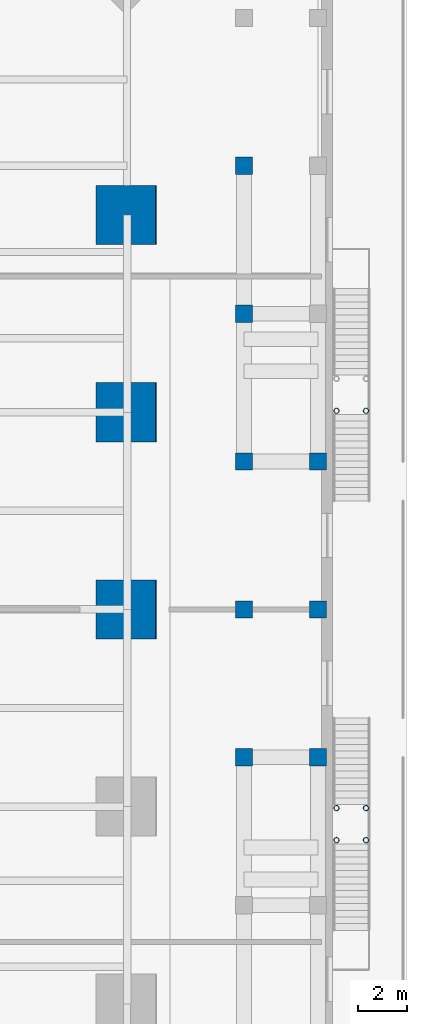
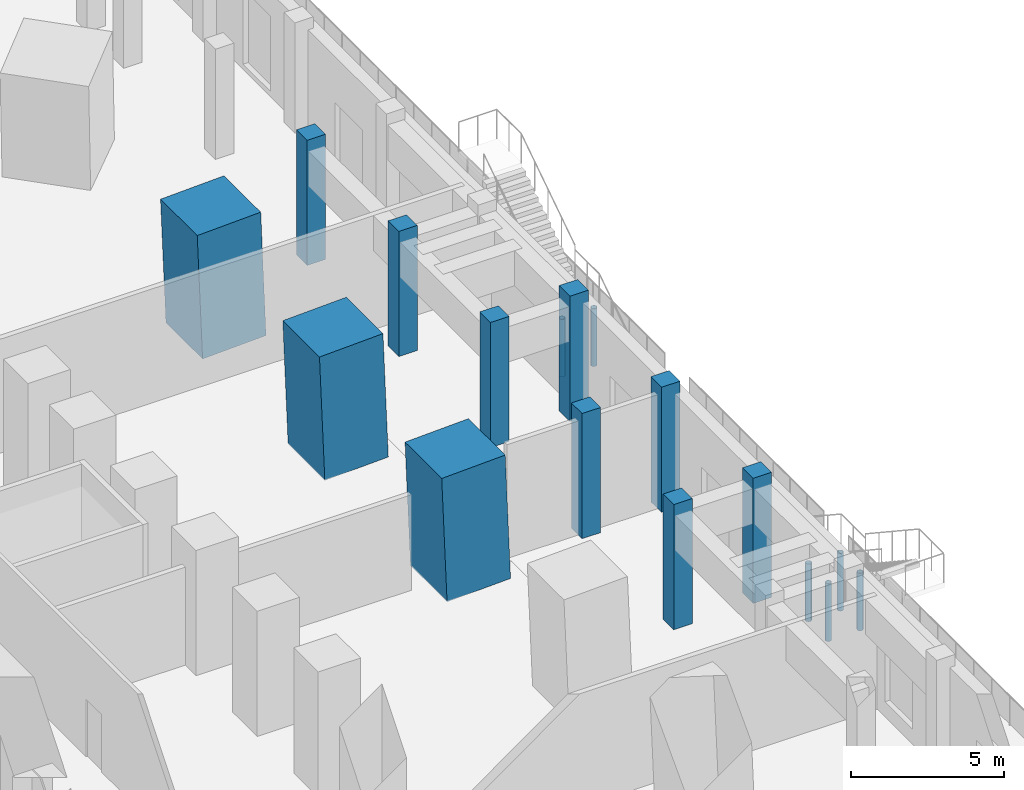
# One storey, part 6 of 22: 17 columns.
"""IFC4 building model written with IfcOpenShell, lengths in metres."""

from ifc_helpers import new_model, si_unit, direction, frame, origin, origin_2d, place, context, subcontext, project, spatial, rectangle, hollow_circle, extrude, material, material_profile, profile_set, type_object, element, save


model = new_model("IFC4")

# Units and contexts
model_context = context("Model", 3, precision=1e-05, world=origin(), true_north=direction((0.0, 1.0)))
body_context = subcontext(model_context, "Body", "Model", "MODEL_VIEW")
ifc_project = project(units=[si_unit("LENGTHUNIT", "METRE"), si_unit("AREAUNIT", "SQUARE_METRE"), si_unit("VOLUMEUNIT", "CUBIC_METRE"), si_unit("PLANEANGLEUNIT", "RADIAN"), si_unit("MASSUNIT", "GRAM", prefix="KILO")], contexts=[model_context])

# Site, building, storey
site_placement = place(None, origin())
site = spatial("IfcSite", under=ifc_project, at=site_placement, CompositionType="ELEMENT")
building_placement = place(site_placement, origin())
building = spatial("IfcBuilding", under=site, at=building_placement, Name="Peilmerk Tower", CompositionType="ELEMENT")
storey_placement = place(building_placement, frame((0.0, 0.0, 6.0)))
storey = spatial("IfcBuildingStorey", under=building, at=storey_placement, Name="L01", CompositionType="ELEMENT", Elevation=6.0)

# Columns
ifc_material_1 = material(Name="Concrete C55/67", Category="concrete")
ifc_material_profile_1 = material_profile(ifc_material_1, rectangle(XDim=0.699951171875, YDim=0.699951171875, at=origin_2d()), Name="RC 700x700")
ifc_profile_set_1 = profile_set([ifc_material_profile_1], Name="Concrete C55/67")
column_type_1 = type_object("IfcColumnType", Name="PC1 700x700 podium column", PredefinedType="COLUMN", material=ifc_profile_set_1)
for number, where, z_axis, x_axis, name in (
    (1, (35.39990234375, -6.0, 0.0), (0.0, 0.0, 1.0), (1.0, 0.0, 0.0), "Podium column ring A L01"),
    (2, (35.39990234375, 0.0, 0.0), (0.0, 0.0, 1.0), (1.0, 0.0, 0.0), "Podium column ring A L01"),
    (3, (35.39990234375, 6.0, 0.0), (0.0, 0.0, 1.0), (1.0, 0.0, 0.0), "Podium column ring A L01"),
    (4, (35.39990234375, 12.0, 0.0), (0.0, 0.0, 1.0), (1.0, 0.0, 0.0), "Podium column ring A L01"),
    (5, (35.39990234375, 18.0, 0.0), (0.0, 0.0, 1.0), (1.0, 0.0, 0.0), "Podium column ring A L01"),
    (6, (38.39990234375, -6.0, 0.0), (0.0, 0.0, 1.0), (1.0, 0.0, 0.0), "Podium column ring B L01"),
    (7, (38.39990234375, 0.0, 0.0), (0.0, 0.0, 1.0), (1.0, 0.0, 0.0), "Podium column ring B L01"),
    (8, (38.39990234375, 6.0, 0.0), (0.0, 0.0, 1.0), (1.0, 0.0, 0.0), "Podium column ring B L01"),
):
    element("IfcColumn", number, at=place(storey_placement, frame(where, z_axis=z_axis, x_axis=x_axis)), inside=storey, type_object=column_type_1, Name=name, PredefinedType="COLUMN", context=body_context, shape_type="SweptSolid", body=[
        extrude(rectangle(XDim=0.699951171875, YDim=0.699951171875, at=origin_2d()), origin(), (0.0, 0.0, 1.0), 5.0),
    ])
ifc_material_2 = material(Name="Concrete C90/105", Category="concrete")
ifc_material_profile_2 = material_profile(ifc_material_2, rectangle(XDim=2.39990234375, YDim=2.39990234375, at=origin_2d()), Name="RC 2400x2400")
ifc_profile_set_2 = profile_set([ifc_material_profile_2], Name="Concrete C90/105")
column_type_2 = type_object("IfcColumnType", Name="SC1 2400x2400 encased perimeter column", PredefinedType="COLUMN", material=ifc_profile_set_2)
for number, where, z_axis, x_axis, name in (
    (9, (30.65478515625, 0.0, 0.0), (-0.040299267708, 0.0, 0.999187654559), (0.0, -1.0, 0.0), "Perimeter column E+0 L01"),
    (10, (30.65478515625, 8.0, 0.0), (-0.040299267708, 0.0, 0.999187654559), (0.0, -1.0, 0.0), "Perimeter column E+8 L01"),
    (11, (30.65478515625, 16.0, 0.0), (-0.040299267708, 0.0, 0.999187654559), (0.0, -1.0, 0.0), "Perimeter column E+16 L01"),
):
    element("IfcColumn", number, at=place(storey_placement, frame(where, z_axis=z_axis, x_axis=x_axis)), inside=storey, type_object=column_type_2, Name=name, PredefinedType="COLUMN", context=body_context, shape_type="SweptSolid", body=[
        extrude(rectangle(XDim=2.39990234375, YDim=2.39990234375, at=origin_2d()), origin(), (0.0, 0.0, 1.0), 5.004150390625),
    ])
ifc_material_3 = material(Name="Steel S355", Category="steel")
ifc_material_profile_3 = material_profile(ifc_material_3, hollow_circle(Radius=0.109619140625, WallThickness=0.012451171875, at=origin_2d()), Name="CHS 219.1x12.5")
ifc_profile_set_3 = profile_set([ifc_material_profile_3], Name="Steel S355")
column_type_3 = type_object("IfcColumnType", Name="SC12 CHS 219.1x12.5 external stair post", PredefinedType="COLUMN", material=ifc_profile_set_3)
for number, where, z_axis, x_axis, name in (
    (12, (39.14990234375, 8.06005859375, 0.0), (0.0, 0.0, 1.0), (1.0, 0.0, 0.0), "External stair 3 post L01"),
    (13, (40.35009765625, 8.06005859375, 0.0), (0.0, 0.0, 1.0), (1.0, 0.0, 0.0), "External stair 3 post L01"),
    (14, (39.14990234375, -9.360107421875, 0.0), (0.0, 0.0, 1.0), (1.0, 0.0, 0.0), "External stair 4 post L01"),
    (15, (40.35009765625, -9.360107421875, 0.0), (0.0, 0.0, 1.0), (1.0, 0.0, 0.0), "External stair 4 post L01"),
    (16, (39.14990234375, -8.06005859375, 0.0), (0.0, 0.0, 1.0), (1.0, 0.0, 0.0), "External stair 4 post L01"),
    (17, (40.35009765625, -8.06005859375, 0.0), (0.0, 0.0, 1.0), (1.0, 0.0, 0.0), "External stair 4 post L01"),
):
    element("IfcColumn", number, at=place(storey_placement, frame(where, z_axis=z_axis, x_axis=x_axis)), inside=storey, type_object=column_type_3, Name=name, PredefinedType="COLUMN", context=body_context, shape_type="SweptSolid", body=[
        extrude(hollow_circle(Radius=0.109619140625, WallThickness=0.012451171875, at=origin_2d()), origin(), (0.0, 0.0, 1.0), 2.300048828125),
    ])

save(model, "model.ifc")
